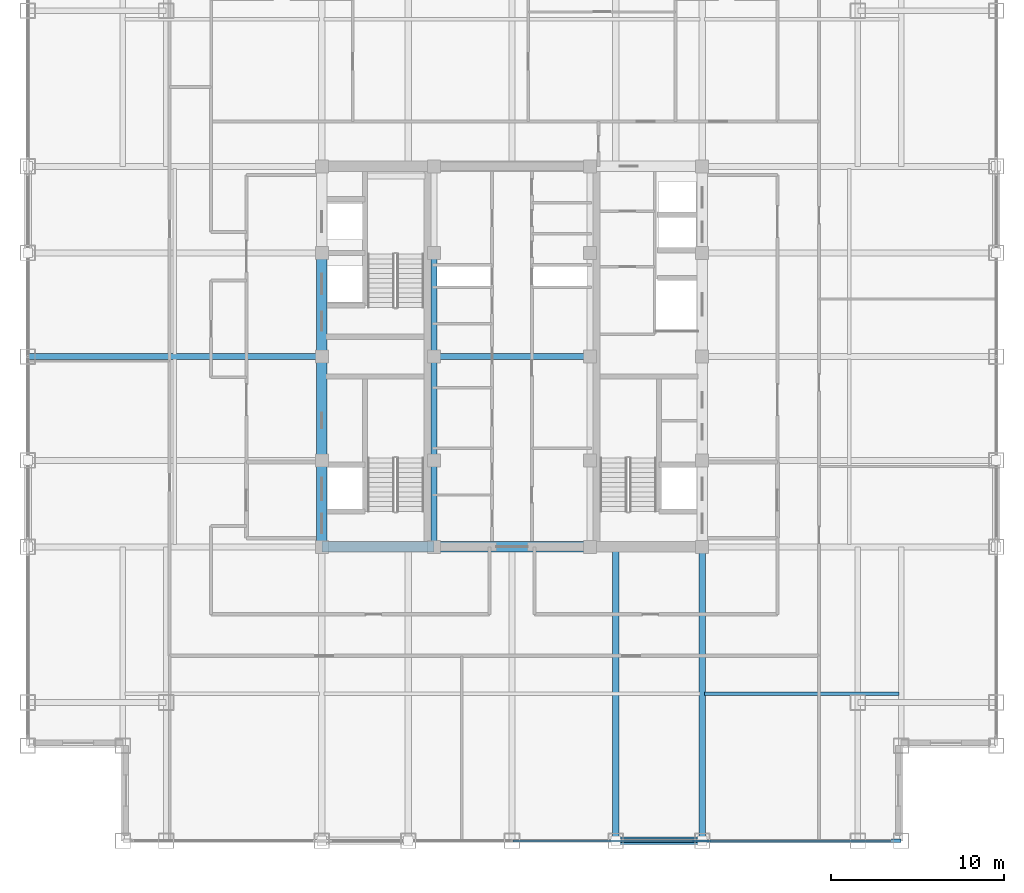
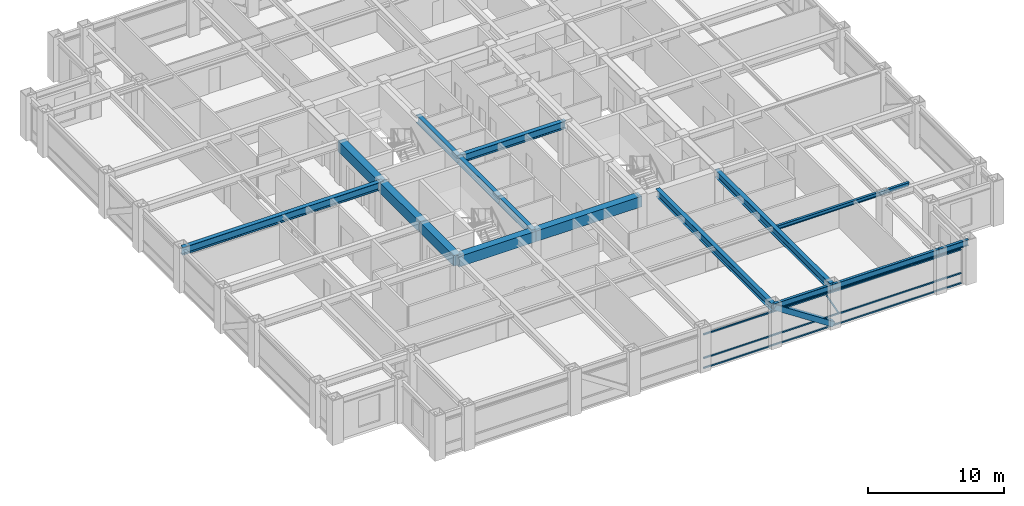
# One storey, part 7 of 22: 16 beams, 5 members, 1 element without a shape of its own.
"""IFC4 building model written with IfcOpenShell, lengths in metres."""

from ifc_helpers import new_model, si_unit, direction, frame, origin, origin_2d, place, context, subcontext, project, spatial, rectangle, hollow_rectangle, i_section, extrude, source, transform, mapped, material, material_profile, profile_set, type_object, element, aggregate, save


model = new_model("IFC4")

# Units and contexts
model_context = context("Model", 3, precision=1e-05, world=origin(), true_north=direction((0.0, 1.0)))
body_context = subcontext(model_context, "Body", "Model", "MODEL_VIEW")
ifc_project = project(units=[si_unit("LENGTHUNIT", "METRE"), si_unit("AREAUNIT", "SQUARE_METRE"), si_unit("VOLUMEUNIT", "CUBIC_METRE"), si_unit("PLANEANGLEUNIT", "RADIAN"), si_unit("MASSUNIT", "GRAM", prefix="KILO")], contexts=[model_context])

# Site, building, storey
site_placement = place(None, origin())
site = spatial("IfcSite", under=ifc_project, at=site_placement, CompositionType="ELEMENT")
building_placement = place(site_placement, origin())
building = spatial("IfcBuilding", under=site, at=building_placement, Name="Khorayat Bourse Tower", CompositionType="ELEMENT")
storey_placement = place(building_placement, frame((0.0, 0.0, 301.5)))
storey = spatial("IfcBuildingStorey", under=building, at=storey_placement, Name="L71", CompositionType="ELEMENT", Elevation=301.5)

# Beams
ifc_material_1 = material(Name="Steel ASTM A992 Grade 50", Category="steel")
ifc_material_profile_1 = material_profile(ifc_material_1, i_section(OverallWidth=0.35498046875, OverallDepth=0.695068359375, WebThickness=0.015380859375, FlangeThickness=0.02490234375, FilletRadius=0.01806640625, at=origin_2d()), Name="W690X217")
ifc_profile_set_1 = profile_set([ifc_material_profile_1], Name="Steel ASTM A992 Grade 50")
beam_type_1 = type_object("IfcBeamType", Name="BM-GIRD-690", PredefinedType="BEAM", material=ifc_profile_set_1)
shared_shape_1 = source(origin(), body_context, "Body", "SweptSolid", [
    extrude(i_section(OverallWidth=0.35498046875, OverallDepth=0.695068359375, WebThickness=0.015380859375, FlangeThickness=0.02490234375, FilletRadius=0.01806640625, at=origin_2d()), origin(), (0.0, 0.0, 1.0), 5.0),
])
beam_1_placement = place(storey_placement, frame((-4.5, -11.0, 3.4326171875), z_axis=(0.0, 1.0, 0.0), x_axis=(-1.0, 0.0, 0.0)))
element("IfcBeam", 1, at=beam_1_placement, inside=storey, type_object=beam_type_1, Name="L71 BM-GIRD-690 BM-L71-CRX-05", PredefinedType="BEAM", context=body_context, shape_type="MappedRepresentation", body=[
    mapped(shared_shape_1, transform((0.0, 0.0, 0.0), scale=1.0)),
])
shared_shape_2 = source(origin(), body_context, "Body", "SweptSolid", [
    extrude(i_section(OverallWidth=0.35498046875, OverallDepth=0.695068359375, WebThickness=0.015380859375, FlangeThickness=0.02490234375, FilletRadius=0.01806640625, at=origin_2d()), origin(), (0.0, 0.0, 1.0), 6.0),
])
for number, where, z_axis, x_axis, name in (
    (2, (-4.5, -6.0, 3.4326171875), (0.0, 1.0, 0.0), (-1.0, 0.0, 0.0), "L71 BM-GIRD-690 BM-L71-CRX-06"),
    (3, (-4.5, 0.0, 3.4326171875), (0.0, 1.0, 0.0), (-1.0, 0.0, 0.0), "L71 BM-GIRD-690 BM-L71-CRX-07"),
):
    element("IfcBeam", number, at=place(storey_placement, frame(where, z_axis=z_axis, x_axis=x_axis)), inside=storey, type_object=beam_type_1, Name=name, PredefinedType="BEAM", context=body_context, shape_type="MappedRepresentation", body=[
        mapped(shared_shape_2, transform((0.0, 0.0, 0.0), scale=1.0)),
    ])
shared_shape_3 = source(origin(), body_context, "Body", "SweptSolid", [
    extrude(i_section(OverallWidth=0.35498046875, OverallDepth=0.695068359375, WebThickness=0.015380859375, FlangeThickness=0.02490234375, FilletRadius=0.01806640625, at=origin_2d()), origin(), (0.0, 0.0, 1.0), 9.0),
])
beam_2_placement = place(storey_placement, frame((-4.5, 0.0, 3.4326171875), z_axis=(1.0, 0.0, 0.0), x_axis=(0.0, 1.0, 0.0)))
element("IfcBeam", 4, at=beam_2_placement, inside=storey, type_object=beam_type_1, Name="L71 BM-GIRD-690 BM-L71-CRY-23", PredefinedType="BEAM", context=body_context, shape_type="MappedRepresentation", body=[
    mapped(shared_shape_3, transform((0.0, 0.0, 0.0), scale=1.0)),
])
ifc_material_2 = material(Name="Concrete C60/75", Category="concrete")
ifc_material_profile_2 = material_profile(ifc_material_2, rectangle(XDim=0.60009765625, YDim=0.949951171875, at=origin_2d()), Name="RC 600x950")
ifc_profile_set_2 = profile_set([ifc_material_profile_2], Name="Concrete C60/75")
beam_type_2 = type_object("IfcBeamType", Name="BM-COUP-950", PredefinedType="BEAM", material=ifc_profile_set_2)
shared_shape_4 = source(origin(), body_context, "Body", "SweptSolid", [
    extrude(rectangle(XDim=0.60009765625, YDim=0.949951171875, at=origin_2d()), origin(), (0.0, 0.0, 1.0), 5.0),
])
beam_3_placement = place(storey_placement, frame((-11.0, -11.0, 3.304931640625), z_axis=(0.0, 1.0, 0.0), x_axis=(-1.0, 0.0, 0.0)))
element("IfcBeam", 5, at=beam_3_placement, inside=storey, type_object=beam_type_2, Name="L71 BM-COUP-950 BM-L71-CRX-01", PredefinedType="BEAM", context=body_context, shape_type="MappedRepresentation", body=[
    mapped(shared_shape_4, transform((0.0, 0.0, 0.0), scale=1.0)),
])
shared_shape_5 = source(origin(), body_context, "Body", "SweptSolid", [
    extrude(rectangle(XDim=0.60009765625, YDim=0.949951171875, at=origin_2d()), origin(), (0.0, 0.0, 1.0), 6.0),
])
for number, where, z_axis, x_axis, name in (
    (6, (-11.0, -6.0, 3.304931640625), (0.0, 1.0, 0.0), (-1.0, 0.0, 0.0), "L71 BM-COUP-950 BM-L71-CRX-02"),
    (7, (-11.0, 0.0, 3.304931640625), (0.0, 1.0, 0.0), (-1.0, 0.0, 0.0), "L71 BM-COUP-950 BM-L71-CRX-03"),
):
    element("IfcBeam", number, at=place(storey_placement, frame(where, z_axis=z_axis, x_axis=x_axis)), inside=storey, type_object=beam_type_2, Name=name, PredefinedType="BEAM", context=body_context, shape_type="MappedRepresentation", body=[
        mapped(shared_shape_5, transform((0.0, 0.0, 0.0), scale=1.0)),
    ])
shared_shape_6 = source(origin(), body_context, "Body", "SweptSolid", [
    extrude(rectangle(XDim=0.60009765625, YDim=0.949951171875, at=origin_2d()), origin(), (0.0, 0.0, 1.0), 6.5),
])
beam_4_placement = place(storey_placement, frame((-11.0, -11.0, 3.304931640625), z_axis=(1.0, 0.0, 0.0), x_axis=(0.0, 1.0, 0.0)))
element("IfcBeam", 8, at=beam_4_placement, inside=storey, type_object=beam_type_2, Name="L71 BM-COUP-950 BM-L71-CRY-17", PredefinedType="BEAM", context=body_context, shape_type="MappedRepresentation", body=[
    mapped(shared_shape_6, transform((0.0, 0.0, 0.0), scale=1.0)),
])
shared_shape_7 = source(origin(), body_context, "Body", "SweptSolid", [
    extrude(rectangle(XDim=0.60009765625, YDim=0.949951171875, at=origin_2d()), origin(), (0.0, 0.0, 1.0), 9.0),
])
beam_5_placement = place(storey_placement, frame((-4.5, -11.0, 3.304931640625), z_axis=(1.0, 0.0, 0.0), x_axis=(0.0, 1.0, 0.0)))
element("IfcBeam", 9, at=beam_5_placement, inside=storey, type_object=beam_type_2, Name="L71 BM-COUP-950 BM-L71-CRY-18", PredefinedType="BEAM", context=body_context, shape_type="MappedRepresentation", body=[
    mapped(shared_shape_7, transform((0.0, 0.0, 0.0), scale=1.0)),
])

# Member
ifc_material_3 = material(Name="Steel EN 10025-4 S460M", Category="steel")
ifc_material_profile_3 = material_profile(ifc_material_3, hollow_rectangle(XDim=0.449951171875, YDim=0.449951171875, WallThickness=0.02490234375, at=origin_2d()), Name="HSS 450x450x25")
ifc_profile_set_3 = profile_set([ifc_material_profile_3], Name="Steel EN 10025-4 S460M")
member_type_1 = type_object("IfcMemberType", Name="MBR-TUBE-450", PredefinedType="BRACE", material=ifc_profile_set_3)
shared_shape_8 = source(origin(), body_context, "Body", "SweptSolid", [
    extrude(hollow_rectangle(XDim=0.449951171875, YDim=0.449951171875, WallThickness=0.02490234375, at=origin_2d()), origin(), (0.0, 0.0, 1.0), 5.979736328125),
])
member_1_placement = place(storey_placement, frame((6.0, -28.0, 3.530029296875), z_axis=(0.836141536525, 0.0, -0.548513747227), x_axis=(0.0, 1.0, 0.0)))
element("IfcMember", 10, at=member_1_placement, inside=storey, type_object=member_type_1, Name="L71 Perimeter Tube Brace 02", PredefinedType="BRACE", context=body_context, shape_type="MappedRepresentation", body=[
    mapped(shared_shape_8, transform((0.0, 0.0, 0.0), scale=1.0)),
])

# Beams
shared_shape_9 = source(origin(), body_context, "Body", "SweptSolid", [
    extrude(i_section(OverallWidth=0.35498046875, OverallDepth=0.695068359375, WebThickness=0.015380859375, FlangeThickness=0.02490234375, FilletRadius=0.01806640625, at=origin_2d()), origin(), (0.0, 0.0, 1.0), 17.0),
])
for number, where, z_axis, x_axis, name in (
    (11, (6.0, -28.0, 3.4326171875), (0.0, 1.0, 0.0), (-1.0, 0.0, 0.0), "L71 BM-GIRD-690 BM-L71-RADY-071"),
    (12, (11.0, -28.0, 3.4326171875), (0.0, 1.0, 0.0), (-1.0, 0.0, 0.0), "L71 BM-GIRD-690 BM-L71-RADY-073"),
    (13, (-28.0, 0.0, 3.4326171875), (1.0, 0.0, 0.0), (0.0, 1.0, 0.0), "L71 BM-GIRD-690 BM-L71-RADX-079"),
):
    element("IfcBeam", number, at=place(storey_placement, frame(where, z_axis=z_axis, x_axis=x_axis)), inside=storey, type_object=beam_type_1, Name=name, PredefinedType="BEAM", context=body_context, shape_type="MappedRepresentation", body=[
        mapped(shared_shape_9, transform((0.0, 0.0, 0.0), scale=1.0)),
    ])
ifc_material_profile_4 = material_profile(ifc_material_1, i_section(OverallWidth=0.202880859375, OverallDepth=0.346923828125, WebThickness=0.0078125, FlangeThickness=0.013427734375, FilletRadius=0.010009765625, at=origin_2d()), Name="W360X64")
ifc_profile_set_4 = profile_set([ifc_material_profile_4], Name="Steel ASTM A992 Grade 50")
beam_type_3 = type_object("IfcBeamType", Name="BM-JOIST-360", PredefinedType="JOIST", material=ifc_profile_set_4)
shared_shape_10 = source(origin(), body_context, "Body", "SweptSolid", [
    extrude(i_section(OverallWidth=0.202880859375, OverallDepth=0.346923828125, WebThickness=0.0078125, FlangeThickness=0.013427734375, FilletRadius=0.010009765625, at=origin_2d()), origin(), (0.0, 0.0, 1.0), 11.240234375),
])
beam_6_placement = place(storey_placement, frame((11.1298828125, -19.5, 3.6064453125), z_axis=(1.0, 0.0, 0.0), x_axis=(0.0, 1.0, 0.0)))
element("IfcBeam", 14, at=beam_6_placement, inside=storey, type_object=beam_type_3, Name="L71 BM-JOIST-360 BM-L71-JSTX-098", PredefinedType="JOIST", context=body_context, shape_type="MappedRepresentation", body=[
    mapped(shared_shape_10, transform((0.0, 0.0, 0.0), scale=1.0)),
])
ifc_material_profile_5 = material_profile(ifc_material_1, i_section(OverallWidth=0.214111328125, OverallDepth=0.549072265625, WebThickness=0.0146484375, FlangeThickness=0.023681640625, FilletRadius=0.013916015625, at=origin_2d()), Name="W530X138")
ifc_profile_set_5 = profile_set([ifc_material_profile_5], Name="Steel ASTM A992 Grade 50")
beam_type_4 = type_object("IfcBeamType", Name="BM-SPAN-530", PredefinedType="SPANDREL", material=ifc_profile_set_5)
shared_shape_11 = source(origin(), body_context, "Body", "SweptSolid", [
    extrude(i_section(OverallWidth=0.214111328125, OverallDepth=0.549072265625, WebThickness=0.0146484375, FlangeThickness=0.023681640625, FilletRadius=0.013916015625, at=origin_2d()), origin(), (0.0, 0.0, 1.0), 2.5),
])
beam_7_placement = place(storey_placement, frame((20.0, -28.0, 3.505615234375), z_axis=(1.0, 0.0, 0.0), x_axis=(0.0, 1.0, 0.0)))
element("IfcBeam", 15, at=beam_7_placement, inside=storey, type_object=beam_type_4, Name="L71 BM-SPAN-530 BM-L71-SPN-031", PredefinedType="SPANDREL", context=body_context, shape_type="MappedRepresentation", body=[
    mapped(shared_shape_11, transform((0.0, 0.0, 0.0), scale=1.0)),
])
shared_shape_12 = source(origin(), body_context, "Body", "SweptSolid", [
    extrude(i_section(OverallWidth=0.214111328125, OverallDepth=0.549072265625, WebThickness=0.0146484375, FlangeThickness=0.023681640625, FilletRadius=0.013916015625, at=origin_2d()), origin(), (0.0, 0.0, 1.0), 9.0),
])
beam_8_placement = place(storey_placement, frame((11.0, -28.0, 3.505615234375), z_axis=(1.0, 0.0, 0.0), x_axis=(0.0, 1.0, 0.0)))
element("IfcBeam", 16, at=beam_8_placement, inside=storey, type_object=beam_type_4, Name="L71 BM-SPAN-530 BM-L71-SPN-030", PredefinedType="SPANDREL", context=body_context, shape_type="MappedRepresentation", body=[
    mapped(shared_shape_12, transform((0.0, 0.0, 0.0), scale=1.0)),
])
shared_shape_13 = source(origin(), body_context, "Body", "SweptSolid", [
    extrude(i_section(OverallWidth=0.214111328125, OverallDepth=0.549072265625, WebThickness=0.0146484375, FlangeThickness=0.023681640625, FilletRadius=0.013916015625, at=origin_2d()), origin(), (0.0, 0.0, 1.0), 5.0),
])
beam_9_placement = place(storey_placement, frame((6.0, -28.0, 3.505615234375), z_axis=(1.0, 0.0, 0.0), x_axis=(0.0, 1.0, 0.0)))
element("IfcBeam", 17, at=beam_9_placement, inside=storey, type_object=beam_type_4, Name="L71 BM-SPAN-530 BM-L71-SPN-029", PredefinedType="SPANDREL", context=body_context, shape_type="MappedRepresentation", body=[
    mapped(shared_shape_13, transform((0.0, 0.0, 0.0), scale=1.0)),
])

# Curtain wall, members
ifc_material_4 = material(Name="Aluminium EN AW-6063 T6", Category="aluminium")
curtain_wall_type = type_object("IfcCurtainWallType", Name="CW-SYS-04", PredefinedType="NOTDEFINED", material=ifc_material_4)
curtain_wall_placement = place(storey_placement, origin())
curtain_wall = element("IfcCurtainWall", 18, at=curtain_wall_placement, inside=storey, type_object=curtain_wall_type, Name="L71 Curtain Wall CW-L71-S1", PredefinedType="NOTDEFINED")
ifc_material_profile_6 = material_profile(ifc_material_4, hollow_rectangle(XDim=0.1201171875, YDim=0.1201171875, WallThickness=0.0048828125, at=origin_2d()), Name="ALU 120x120x5")
ifc_profile_set_6 = profile_set([ifc_material_profile_6], Name="Aluminium EN AW-6063 T6")
member_type_2 = type_object("IfcMemberType", Name="CWM-DIAG-120", PredefinedType="MULLION", material=ifc_profile_set_6)
shared_shape_14 = source(origin(), body_context, "Body", "SweptSolid", [
    extrude(hollow_rectangle(XDim=0.1201171875, YDim=0.1201171875, WallThickness=0.0048828125, at=origin_2d()), origin(), (0.0, 0.0, 1.0), 2.0791015625),
])
member_2_placement = place(storey_placement, frame((11.4541015625, -28.0, 1.090087890625), z_axis=(-0.465717394116, 0.0, 0.884933505309), x_axis=(0.0, -1.0, 0.0)))
member_2 = element("IfcMember", 19, at=member_2_placement, type_object=member_type_2, Name="CW-L71-S1 Faceted Diagonal Mullion 2", PredefinedType="MULLION", context=body_context, shape_type="MappedRepresentation", body=[
    mapped(shared_shape_14, transform((0.0, 0.0, 0.0), scale=1.0)),
])
ifc_material_profile_7 = material_profile(ifc_material_4, hollow_rectangle(XDim=0.1201171875, YDim=0.1201171875, WallThickness=0.0048828125, at=origin_2d()), Name="ALU 120x120x5")
ifc_profile_set_7 = profile_set([ifc_material_profile_7], Name="Aluminium EN AW-6063 T6")
member_type_3 = type_object("IfcMemberType", Name="CWT-HORZ-120", PredefinedType="USERDEFINED", material=ifc_profile_set_7)
shared_shape_15 = source(origin(), body_context, "Body", "SweptSolid", [
    extrude(hollow_rectangle(XDim=0.1201171875, YDim=0.1201171875, WallThickness=0.0048828125, at=origin_2d()), origin(), (0.0, 0.0, 1.0), 21.81982421875),
])
member_3_placement = place(storey_placement, frame((0.06005859375, -28.0, 0.06005859375), z_axis=(1.0, 0.0, 0.0), x_axis=(0.0, 1.0, 0.0)))
member_3 = element("IfcMember", 20, at=member_3_placement, type_object=member_type_3, Name="CW-L71-S1 Horizontal Transom 2-1", ObjectType="TRANSOM", PredefinedType="USERDEFINED", context=body_context, shape_type="MappedRepresentation", body=[
    mapped(shared_shape_15, transform((0.0, 0.0, 0.0), scale=1.0)),
])
member_4_placement = place(storey_placement, frame((0.06005859375, -28.0, 0.949951171875), z_axis=(1.0, 0.0, 0.0), x_axis=(0.0, 1.0, 0.0)))
member_4 = element("IfcMember", 21, at=member_4_placement, type_object=member_type_3, Name="CW-L71-S1 Horizontal Transom 2-2", ObjectType="TRANSOM", PredefinedType="USERDEFINED", context=body_context, shape_type="MappedRepresentation", body=[
    mapped(shared_shape_15, transform((0.0, 0.0, 0.0), scale=1.0)),
])
member_5_placement = place(storey_placement, frame((0.06005859375, -28.0, 3.070068359375), z_axis=(1.0, 0.0, 0.0), x_axis=(0.0, 1.0, 0.0)))
member_5 = element("IfcMember", 22, at=member_5_placement, type_object=member_type_3, Name="CW-L71-S1 Horizontal Transom 2-3", ObjectType="TRANSOM", PredefinedType="USERDEFINED", context=body_context, shape_type="MappedRepresentation", body=[
    mapped(shared_shape_15, transform((0.0, 0.0, 0.0), scale=1.0)),
])
aggregate(curtain_wall, [member_3, member_4, member_5, member_2])

save(model, "model.ifc")
